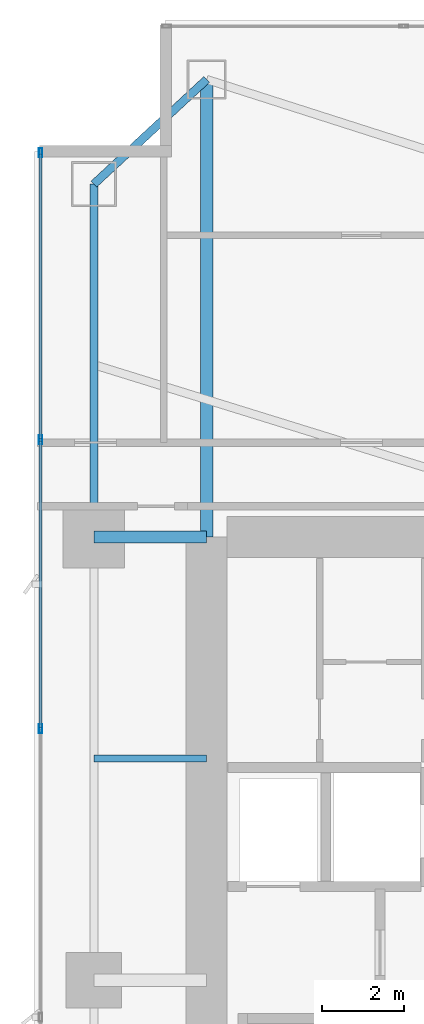
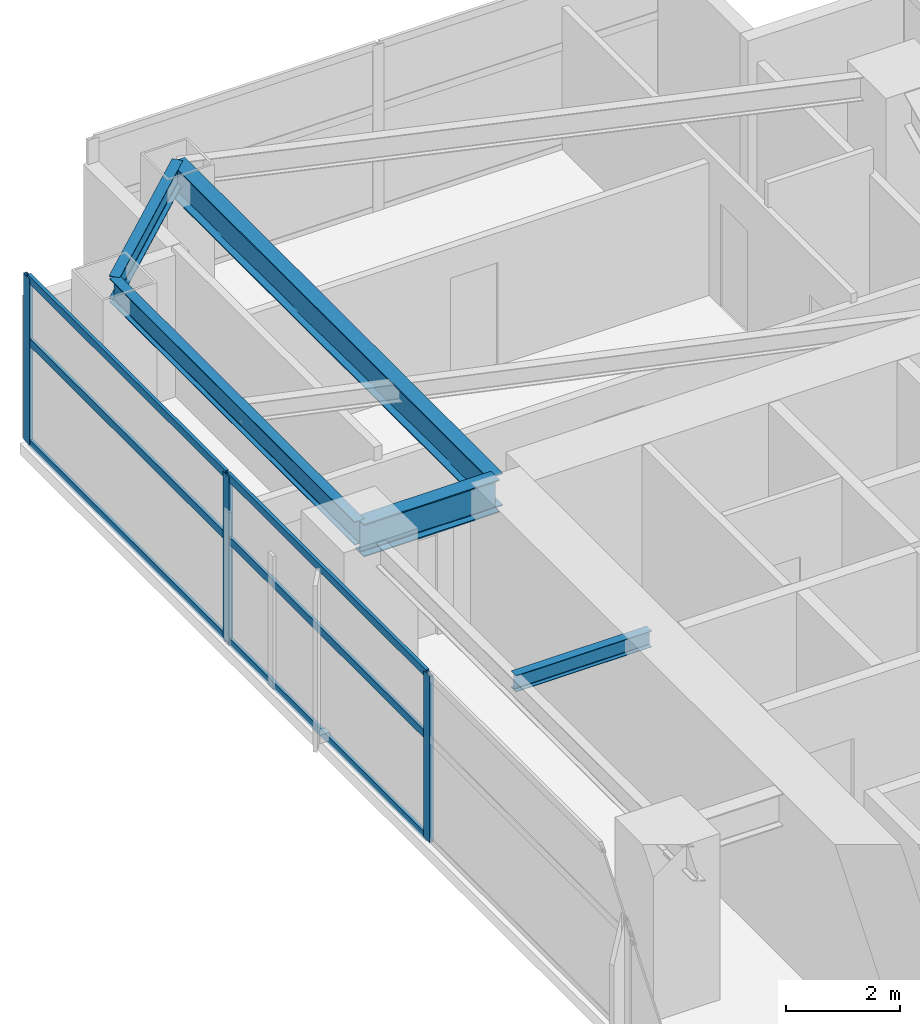
# One storey, part 16 of 30: 9 members, 5 beams, 1 element without a shape of its own.
"""IFC4 building model written with IfcOpenShell, lengths in metres."""

from ifc_helpers import new_model, si_unit, direction, frame, origin, origin_2d, place, context, subcontext, project, spatial, hollow_rectangle, i_section, extrude, material, layer, layer_set, material_profile, profile_set, type_object, element, aggregate, save


model = new_model("IFC4")

# Units and contexts
model_context = context("Model", 3, precision=1e-05, world=origin(), true_north=direction((0.0, 1.0)))
body_context = subcontext(model_context, "Body", "Model", "MODEL_VIEW")
ifc_project = project(units=[si_unit("LENGTHUNIT", "METRE"), si_unit("AREAUNIT", "SQUARE_METRE"), si_unit("VOLUMEUNIT", "CUBIC_METRE"), si_unit("PLANEANGLEUNIT", "RADIAN"), si_unit("MASSUNIT", "GRAM", prefix="KILO")], contexts=[model_context])

# Site, building, storey
site_placement = place(None, origin())
site = spatial("IfcSite", under=ifc_project, at=site_placement, CompositionType="ELEMENT")
building_placement = place(site_placement, origin())
building = spatial("IfcBuilding", under=site, at=building_placement, Name="Calvorn Quay Hotel", CompositionType="ELEMENT")
storey_placement = place(building_placement, frame((0.0, 0.0, 27.0)))
storey = spatial("IfcBuildingStorey", under=building, at=storey_placement, Name="L05", CompositionType="ELEMENT", Elevation=27.0)

# Beams
ifc_material_1 = material(Name="Steel Q390GJC", Category="steel")
ifc_material_profile_1 = material_profile(ifc_material_1, i_section(OverallWidth=0.300048828125, OverallDepth=0.699951171875, WebThickness=0.012939453125, FlangeThickness=0.02392578125, FilletRadius=0.02392578125, at=origin_2d()), Name="HN700x300x13x24")
ifc_profile_set_1 = profile_set([ifc_material_profile_1], Name="Steel Q390GJC")
beam_type_1 = type_object("IfcBeamType", Name="BM-GIRD-MAIN", PredefinedType="BEAM", material=ifc_profile_set_1)
beam_1_placement = place(storey_placement, frame((1.449951171875, 38.39990234375, 3.18994140625), z_axis=(1.0, 0.0, 0.0), x_axis=(0.0, 1.0, 0.0)))
element("IfcBeam", 1, at=beam_1_placement, inside=storey, type_object=beam_type_1, Name="Beam BG-L05-W3", PredefinedType="BEAM", context=body_context, shape_type="SweptSolid", body=[
    extrude(i_section(OverallWidth=0.300048828125, OverallDepth=0.699951171875, WebThickness=0.012939453125, FlangeThickness=0.02392578125, FilletRadius=0.02392578125, at=origin_2d()), origin(), (0.0, 0.0, 1.0), 2.75),
])
beam_2_placement = place(storey_placement, frame((4.199951171875, 49.550048828125, 3.18994140625), z_axis=(0.0, -1.0, 0.0), x_axis=(1.0, 0.0, 0.0)))
element("IfcBeam", 2, at=beam_2_placement, inside=storey, type_object=beam_type_1, Name="Beam BG-L05-W5", PredefinedType="BEAM", context=body_context, shape_type="SweptSolid", body=[
    extrude(i_section(OverallWidth=0.300048828125, OverallDepth=0.699951171875, WebThickness=0.012939453125, FlangeThickness=0.02392578125, FilletRadius=0.02392578125, at=origin_2d()), origin(), (0.0, 0.0, 1.0), 11.150146484375),
])
ifc_material_2 = material(Name="Steel Q355B", Category="steel")
ifc_material_profile_2 = material_profile(ifc_material_2, i_section(OverallWidth=0.175048828125, OverallDepth=0.35009765625, WebThickness=0.007080078125, FlangeThickness=0.010986328125, FilletRadius=0.013916015625, at=origin_2d()), Name="HN350x175x7x11")
ifc_profile_set_2 = profile_set([ifc_material_profile_2], Name="Steel Q355B")
beam_type_2 = type_object("IfcBeamType", Name="BM-JOIST-SEC", PredefinedType="JOIST", material=ifc_profile_set_2)
beam_3_placement = place(storey_placement, frame((1.449951171875, 33.0, 3.364990234375), z_axis=(1.0, 0.0, 0.0), x_axis=(0.0, 1.0, 0.0)))
element("IfcBeam", 3, at=beam_3_placement, inside=storey, type_object=beam_type_2, Name="Beam BJ-L05-W4", PredefinedType="JOIST", context=body_context, shape_type="SweptSolid", body=[
    extrude(i_section(OverallWidth=0.175048828125, OverallDepth=0.35009765625, WebThickness=0.007080078125, FlangeThickness=0.010986328125, FilletRadius=0.013916015625, at=origin_2d()), origin(), (0.0, 0.0, 1.0), 2.75),
])
ifc_material_3 = material(Name="Steel Q355B", Category="steel")
ifc_material_profile_3 = material_profile(ifc_material_3, i_section(OverallWidth=0.199951171875, OverallDepth=0.5, WebThickness=0.010009765625, FlangeThickness=0.01611328125, FilletRadius=0.01611328125, at=origin_2d()), Name="HN500x200x10x16")
ifc_profile_set_3 = profile_set([ifc_material_profile_3], Name="Steel Q355B")
beam_type_3 = type_object("IfcBeamType", Name="BM-SPANDREL-Z1", PredefinedType="SPANDREL", material=ifc_profile_set_3)
beam_4_placement = place(storey_placement, frame((1.449951171875, 38.39990234375, 3.2900390625), z_axis=(0.0, 1.0, 0.0), x_axis=(-1.0, 0.0, 0.0)))
element("IfcBeam", 4, at=beam_4_placement, inside=storey, type_object=beam_type_3, Name="Beam BSP-L05-W4", PredefinedType="SPANDREL", context=body_context, shape_type="SweptSolid", body=[
    extrude(i_section(OverallWidth=0.199951171875, OverallDepth=0.5, WebThickness=0.010009765625, FlangeThickness=0.01611328125, FilletRadius=0.01611328125, at=origin_2d()), origin(), (0.0, 0.0, 1.0), 8.60009765625),
])
beam_5_placement = place(storey_placement, frame((1.449951171875, 47.0, 3.2900390625), z_axis=(0.733261665538, 0.679946563969, 0.0), x_axis=(-0.679946563969, 0.733261665538, 0.0)))
element("IfcBeam", 5, at=beam_5_placement, inside=storey, type_object=beam_type_3, Name="Beam BSP-L05-W5", PredefinedType="SPANDREL", context=body_context, shape_type="SweptSolid", body=[
    extrude(i_section(OverallWidth=0.199951171875, OverallDepth=0.5, WebThickness=0.010009765625, FlangeThickness=0.01611328125, FilletRadius=0.01611328125, at=origin_2d()), origin(), (0.0, 0.0, 1.0), 3.75048828125),
])

# Curtain wall, members
ifc_material_4 = material(Name="Pale Anodised Aluminium and Low-E Glass", Category="aluminium")
ifc_layer = layer(ifc_material_4, 0.219970703125)
ifc_layer_set = layer_set([ifc_layer], Name="CW-SYS-Z1")
curtain_wall_type = type_object("IfcCurtainWallType", Name="CW-SYS-Z1", PredefinedType="NOTDEFINED", material=ifc_layer_set)
curtain_wall_placement = place(storey_placement, origin())
curtain_wall = element("IfcCurtainWall", 6, at=curtain_wall_placement, inside=storey, type_object=curtain_wall_type, Name="Tower West Curtain Wall (L05)", PredefinedType="NOTDEFINED")
ifc_material_5 = material(Name="Pale Anodised Aluminium 6063-T6", Category="aluminium")
ifc_material_profile_4 = material_profile(ifc_material_5, hollow_rectangle(XDim=0.074951171875, YDim=0.219970703125, WallThickness=0.00439453125, at=origin_2d()), Name="ALU-M220x75x4.5")
ifc_profile_set_4 = profile_set([ifc_material_profile_4], Name="Pale Anodised Aluminium 6063-T6")
member_type_1 = type_object("IfcMemberType", Name="CW-SYS-Z1-MUL", PredefinedType="MULLION", material=ifc_profile_set_4)
member_1_placement = place(storey_placement, frame((0.14990234375, 33.7333984375, 0.0), z_axis=(0.0, 0.0, 1.0), x_axis=(-1.0, 0.0, 0.0)))
member_1 = element("IfcMember", 7, at=member_1_placement, type_object=member_type_1, Name="CW-L05-W mullion 5", PredefinedType="MULLION", context=body_context, shape_type="SweptSolid", body=[
    extrude(hollow_rectangle(XDim=0.074951171875, YDim=0.219970703125, WallThickness=0.00439453125, at=origin_2d()), origin(), (0.0, 0.0, 1.0), 3.56005859375),
])
member_2_placement = place(storey_placement, frame((0.14990234375, 40.7666015625, 0.0), z_axis=(0.0, 0.0, 1.0), x_axis=(-1.0, 0.0, 0.0)))
member_2 = element("IfcMember", 8, at=member_2_placement, type_object=member_type_1, Name="CW-L05-W mullion 6", PredefinedType="MULLION", context=body_context, shape_type="SweptSolid", body=[
    extrude(hollow_rectangle(XDim=0.074951171875, YDim=0.219970703125, WallThickness=0.00439453125, at=origin_2d()), origin(), (0.0, 0.0, 1.0), 3.56005859375),
])
member_3_placement = place(storey_placement, frame((0.14990234375, 47.77001953125, 0.0), z_axis=(0.0, 0.0, 1.0), x_axis=(-1.0, 0.0, 0.0)))
member_3 = element("IfcMember", 9, at=member_3_placement, type_object=member_type_1, Name="CW-L05-W mullion 7", PredefinedType="MULLION", context=body_context, shape_type="SweptSolid", body=[
    extrude(hollow_rectangle(XDim=0.074951171875, YDim=0.219970703125, WallThickness=0.00439453125, at=origin_2d()), origin(), (0.0, 0.0, 1.0), 3.56005859375),
])
ifc_material_6 = material(Name="Pale Anodised Aluminium 6063-T6", Category="aluminium")
ifc_material_profile_5 = material_profile(ifc_material_6, hollow_rectangle(XDim=0.06494140625, YDim=0.1650390625, WallThickness=0.00341796875, at=origin_2d()), Name="ALU-T165x65x3.5")
ifc_profile_set_5 = profile_set([ifc_material_profile_5], Name="Pale Anodised Aluminium 6063-T6")
member_type_2 = type_object("IfcMemberType", Name="CW-SYS-Z1-TRN", PredefinedType="USERDEFINED", material=ifc_profile_set_5)
member_4_placement = place(storey_placement, frame((0.14990234375, 33.763427734375, 0.030029296875), z_axis=(0.0, 1.0, 0.0), x_axis=(-1.0, 0.0, 0.0)))
member_4 = element("IfcMember", 10, at=member_4_placement, type_object=member_type_2, Name="CW-L05-W transom 5.1", ObjectType="TRANSOM", PredefinedType="USERDEFINED", context=body_context, shape_type="SweptSolid", body=[
    extrude(hollow_rectangle(XDim=0.06494140625, YDim=0.1650390625, WallThickness=0.00341796875, at=origin_2d()), origin(), (0.0, 0.0, 1.0), 6.97314453125),
])
member_5_placement = place(storey_placement, frame((0.14990234375, 33.763427734375, 2.199951171875), z_axis=(0.0, 1.0, 0.0), x_axis=(-1.0, 0.0, 0.0)))
member_5 = element("IfcMember", 11, at=member_5_placement, type_object=member_type_2, Name="CW-L05-W transom 5.2", ObjectType="TRANSOM", PredefinedType="USERDEFINED", context=body_context, shape_type="SweptSolid", body=[
    extrude(hollow_rectangle(XDim=0.06494140625, YDim=0.1650390625, WallThickness=0.00341796875, at=origin_2d()), origin(), (0.0, 0.0, 1.0), 6.97314453125),
])
member_6_placement = place(storey_placement, frame((0.14990234375, 33.763427734375, 3.530029296875), z_axis=(0.0, 1.0, 0.0), x_axis=(-1.0, 0.0, 0.0)))
member_6 = element("IfcMember", 12, at=member_6_placement, type_object=member_type_2, Name="CW-L05-W transom 5.3", ObjectType="TRANSOM", PredefinedType="USERDEFINED", context=body_context, shape_type="SweptSolid", body=[
    extrude(hollow_rectangle(XDim=0.06494140625, YDim=0.1650390625, WallThickness=0.00341796875, at=origin_2d()), origin(), (0.0, 0.0, 1.0), 6.97314453125),
])
member_7_placement = place(storey_placement, frame((0.14990234375, 40.796630859375, 0.030029296875), z_axis=(0.0, 1.0, 0.0), x_axis=(-1.0, 0.0, 0.0)))
member_7 = element("IfcMember", 13, at=member_7_placement, type_object=member_type_2, Name="CW-L05-W transom 6.1", ObjectType="TRANSOM", PredefinedType="USERDEFINED", context=body_context, shape_type="SweptSolid", body=[
    extrude(hollow_rectangle(XDim=0.06494140625, YDim=0.1650390625, WallThickness=0.00341796875, at=origin_2d()), origin(), (0.0, 0.0, 1.0), 6.943359375),
])
member_8_placement = place(storey_placement, frame((0.14990234375, 40.796630859375, 2.199951171875), z_axis=(0.0, 1.0, 0.0), x_axis=(-1.0, 0.0, 0.0)))
member_8 = element("IfcMember", 14, at=member_8_placement, type_object=member_type_2, Name="CW-L05-W transom 6.2", ObjectType="TRANSOM", PredefinedType="USERDEFINED", context=body_context, shape_type="SweptSolid", body=[
    extrude(hollow_rectangle(XDim=0.06494140625, YDim=0.1650390625, WallThickness=0.00341796875, at=origin_2d()), origin(), (0.0, 0.0, 1.0), 6.943359375),
])
member_9_placement = place(storey_placement, frame((0.14990234375, 40.796630859375, 3.530029296875), z_axis=(0.0, 1.0, 0.0), x_axis=(-1.0, 0.0, 0.0)))
member_9 = element("IfcMember", 15, at=member_9_placement, type_object=member_type_2, Name="CW-L05-W transom 6.3", ObjectType="TRANSOM", PredefinedType="USERDEFINED", context=body_context, shape_type="SweptSolid", body=[
    extrude(hollow_rectangle(XDim=0.06494140625, YDim=0.1650390625, WallThickness=0.00341796875, at=origin_2d()), origin(), (0.0, 0.0, 1.0), 6.943359375),
])
aggregate(curtain_wall, [member_1, member_2, member_3, member_4, member_5, member_6, member_7, member_8, member_9])

save(model, "model.ifc")
